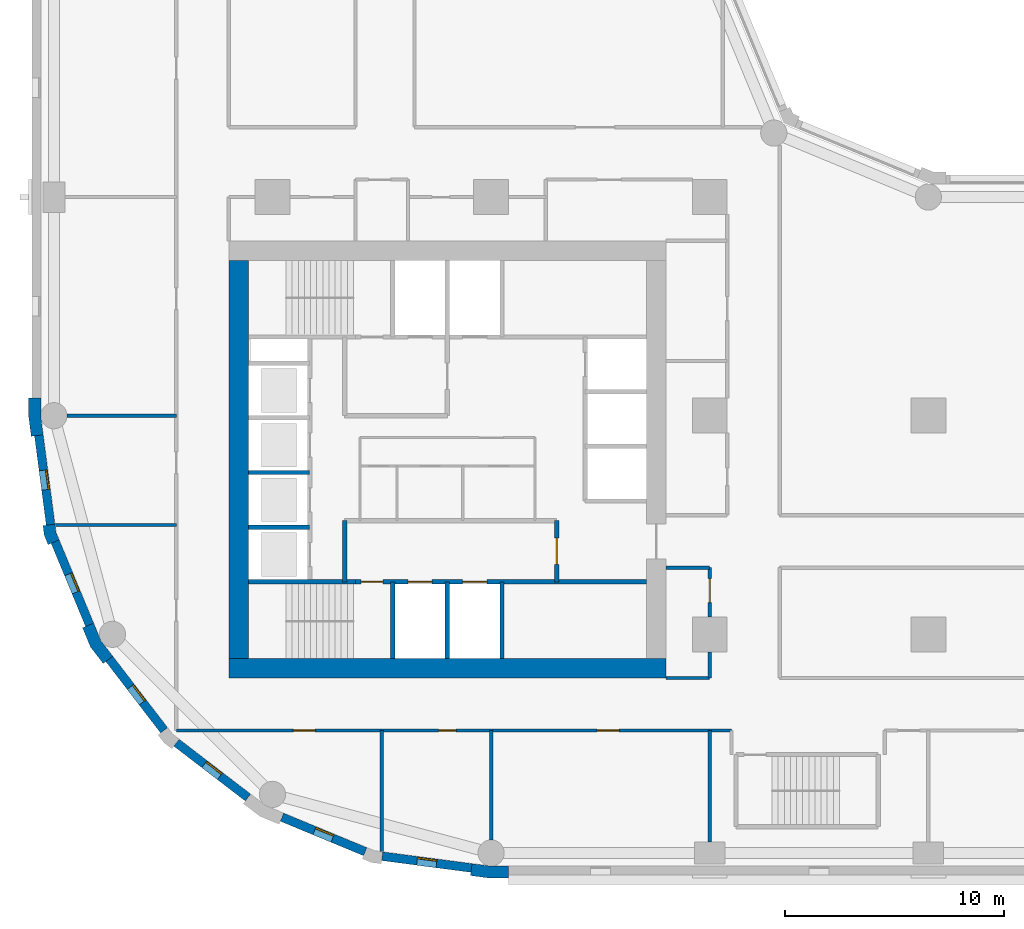
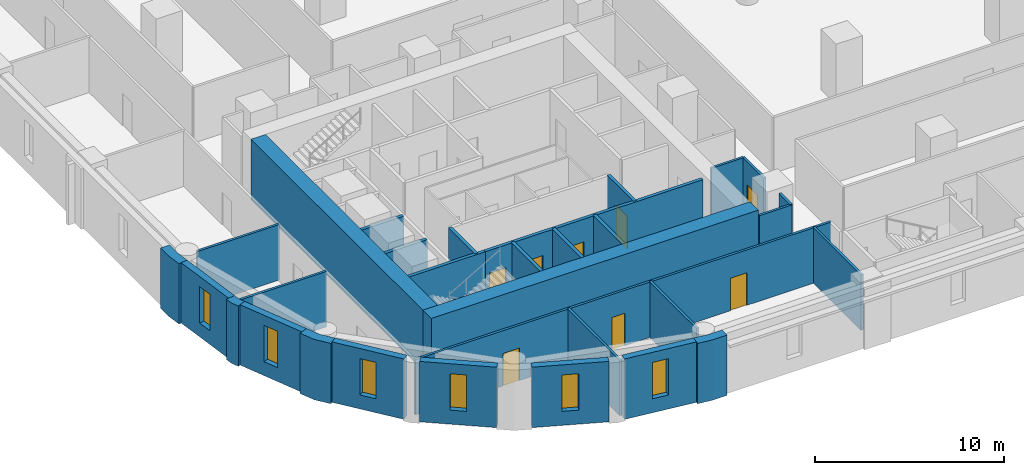
# One storey, part 2 of 10: 31 walls, 8 doors, 6 windows, 14 openings.
"""IFC4 building model written with IfcOpenShell, lengths in metres."""

from ifc_helpers import new_model, si_unit, direction, frame, frame_2d, origin, place, context, subcontext, project, spatial, polyline, rectangle, outline, extrude, material, layer, layer_set, type_object, element, fill, save


model = new_model("IFC4")

# Units and contexts
model_context = context("Model", 3, precision=1e-05, world=origin(), true_north=direction((0.0, 1.0)))
body_context = subcontext(model_context, "Body", "Model", "MODEL_VIEW")
ifc_project = project(units=[si_unit("LENGTHUNIT", "METRE"), si_unit("AREAUNIT", "SQUARE_METRE"), si_unit("VOLUMEUNIT", "CUBIC_METRE"), si_unit("PLANEANGLEUNIT", "RADIAN"), si_unit("MASSUNIT", "GRAM", prefix="KILO")], contexts=[model_context])

# Site, building, storey
site_placement = place(None, origin())
site = spatial("IfcSite", under=ifc_project, at=site_placement, CompositionType="ELEMENT")
building_placement = place(site_placement, origin())
building = spatial("IfcBuilding", under=site, at=building_placement, Name="Qaws Garden Tower", CompositionType="ELEMENT")
storey_placement = place(building_placement, frame((0.0, 0.0, 51.0)))
storey = spatial("IfcBuildingStorey", under=building, at=storey_placement, Name="L12", CompositionType="ELEMENT", Elevation=51.0)

# Wall, opening, window
ifc_material_1 = material(Name="Clay facing brick masonry", Category="masonry")
ifc_layer_1 = layer(ifc_material_1, 0.39990234375)
ifc_layer_set_1 = layer_set([ifc_layer_1], Name="Clay facing brick masonry")
wall_type_1 = type_object("IfcWallType", Name="Brick infill wall 400", PredefinedType="SOLIDWALL", material=ifc_layer_set_1)
wall_1_placement = place(storey_placement, frame((-0.688720703125, 19.102294921875, 0.0), z_axis=(0.0, 0.0, 1.0), x_axis=(0.130514280502, -0.991446429508, 0.0)))
wall_1 = element("IfcWall", 1, at=wall_1_placement, inside=storey, type_object=wall_type_1, Name="E-L12-infill-27", PredefinedType="SOLIDWALL", context=body_context, shape_type="SweptSolid", body=[
    extrude(rectangle(XDim=4.120849609375, YDim=0.39990234375, at=frame_2d((2.060546875, 0.0))), origin(), (0.0, 0.0, 1.0), 3.89990234375),
])
opening_1_placement = place(wall_1_placement, frame((1.610595703125, 0.0, 0.89990234375)))
opening_1 = element("IfcOpeningElement", 2, at=opening_1_placement, cuts=wall_1, Name="Opening W09", PredefinedType="OPENING", context=body_context, shape_type="SweptSolid", body=[
    extrude(rectangle(XDim=0.89990234375, YDim=2.35009765625, at=frame_2d((0.449951171875, 1.175048828125))), frame((0.0, 0.2099609375, 0.0), z_axis=(0.0, -1.0, 0.0), x_axis=(1.0, 0.0, 0.0)), (0.0, 0.0, 1.0), 0.419921875),
])
ifc_material_2 = material(Name="Aluminium framed window, clear glazing", Category="aluminium")
window_type = type_object("IfcWindowType", Name="Slit window 900 x 2350", PartitioningType="SINGLE_PANEL", PredefinedType="WINDOW", material=ifc_material_2)
window_1_placement = place(opening_1_placement, origin())
window_1 = element("IfcWindow", 3, at=window_1_placement, inside=storey, type_object=window_type, Name="E-L12-window-27-0", OverallHeight=2.35009765625, OverallWidth=0.89990234375, PartitioningType="SINGLE_PANEL", PredefinedType="WINDOW", context=body_context, shape_type="SweptSolid", body=[
    extrude(rectangle(XDim=0.89990234375, YDim=2.35009765625, at=frame_2d((0.449951171875, 1.175048828125))), frame((0.0, 0.159912109375, 0.0), z_axis=(0.0, -1.0, 0.0), x_axis=(1.0, 0.0, 0.0)), (0.0, 0.0, 1.0), 0.06005859375),
])
fill(opening_1, window_1)

wall_2_placement = place(storey_placement, frame((0.05712890625, 14.240234375, 0.0), z_axis=(0.0, 0.0, 1.0), x_axis=(0.382721546029, -0.923863744394, 0.0)))
wall_2 = element("IfcWall", 4, at=wall_2_placement, inside=storey, type_object=wall_type_1, Name="E-L12-infill-28", PredefinedType="SOLIDWALL", context=body_context, shape_type="SweptSolid", body=[
    extrude(rectangle(XDim=4.120849609375, YDim=0.39990234375, at=frame_2d((2.060546875, 0.0))), origin(), (0.0, 0.0, 1.0), 3.89990234375),
])
opening_2_placement = place(wall_2_placement, frame((1.610595703125, 0.0, 0.89990234375)))
opening_2 = element("IfcOpeningElement", 5, at=opening_2_placement, cuts=wall_2, Name="Opening W09", PredefinedType="OPENING", context=body_context, shape_type="SweptSolid", body=[
    extrude(rectangle(XDim=0.89990234375, YDim=2.35009765625, at=frame_2d((0.449951171875, 1.175048828125))), frame((0.0, 0.2099609375, 0.0), z_axis=(0.0, -1.0, 0.0), x_axis=(1.0, 0.0, 0.0)), (0.0, 0.0, 1.0), 0.419921875),
])
window_2_placement = place(opening_2_placement, origin())
window_2 = element("IfcWindow", 6, at=window_2_placement, inside=storey, type_object=window_type, Name="E-L12-window-28-0", OverallHeight=2.35009765625, OverallWidth=0.89990234375, PartitioningType="SINGLE_PANEL", PredefinedType="WINDOW", context=body_context, shape_type="SweptSolid", body=[
    extrude(rectangle(XDim=0.89990234375, YDim=2.35009765625, at=frame_2d((0.449951171875, 1.175048828125))), frame((0.0, 0.159912109375, 0.0), z_axis=(0.0, -1.0, 0.0), x_axis=(1.0, 0.0, 0.0)), (0.0, 0.0, 1.0), 0.06005859375),
])
fill(opening_2, window_2)

wall_3_placement = place(storey_placement, frame((2.53173828125, 8.87841796875, 0.0), z_axis=(0.0, 0.0, 1.0), x_axis=(0.608759824817, -0.793354571229, 0.0)))
wall_3 = element("IfcWall", 7, at=wall_3_placement, inside=storey, type_object=wall_type_1, Name="E-L12-infill-29", PredefinedType="SOLIDWALL", context=body_context, shape_type="SweptSolid", body=[
    extrude(rectangle(XDim=4.12109375, YDim=0.39990234375, at=frame_2d((2.060546875, 0.0))), origin(), (0.0, 0.0, 1.0), 3.89990234375),
])
opening_3_placement = place(wall_3_placement, frame((1.610595703125, 0.0, 0.89990234375)))
opening_3 = element("IfcOpeningElement", 8, at=opening_3_placement, cuts=wall_3, Name="Opening W09", PredefinedType="OPENING", context=body_context, shape_type="SweptSolid", body=[
    extrude(rectangle(XDim=0.89990234375, YDim=2.35009765625, at=frame_2d((0.449951171875, 1.175048828125))), frame((0.0, 0.2099609375, 0.0), z_axis=(0.0, -1.0, 0.0), x_axis=(1.0, 0.0, 0.0)), (0.0, 0.0, 1.0), 0.419921875),
])
window_3_placement = place(opening_3_placement, origin())
window_3 = element("IfcWindow", 9, at=window_3_placement, inside=storey, type_object=window_type, Name="E-L12-window-29-0", OverallHeight=2.35009765625, OverallWidth=0.89990234375, PartitioningType="SINGLE_PANEL", PredefinedType="WINDOW", context=body_context, shape_type="SweptSolid", body=[
    extrude(rectangle(XDim=0.89990234375, YDim=2.35009765625, at=frame_2d((0.449951171875, 1.175048828125))), frame((0.0, 0.159912109375, 0.0), z_axis=(0.0, -1.0, 0.0), x_axis=(1.0, 0.0, 0.0)), (0.0, 0.0, 1.0), 0.06005859375),
])
fill(opening_3, window_3)

wall_4_placement = place(storey_placement, frame((5.60888671875, 5.04052734375, 0.0), z_axis=(0.0, 0.0, 1.0), x_axis=(0.793354571229, -0.608759824817, 0.0)))
wall_4 = element("IfcWall", 10, at=wall_4_placement, inside=storey, type_object=wall_type_1, Name="E-L12-infill-30", PredefinedType="SOLIDWALL", context=body_context, shape_type="SweptSolid", body=[
    extrude(rectangle(XDim=4.12109375, YDim=0.39990234375, at=frame_2d((2.060546875, 0.0))), origin(), (0.0, 0.0, 1.0), 3.89990234375),
])
opening_4_placement = place(wall_4_placement, frame((1.610595703125, 0.0, 0.89990234375)))
opening_4 = element("IfcOpeningElement", 11, at=opening_4_placement, cuts=wall_4, Name="Opening W09", PredefinedType="OPENING", context=body_context, shape_type="SweptSolid", body=[
    extrude(rectangle(XDim=0.89990234375, YDim=2.35009765625, at=frame_2d((0.449951171875, 1.175048828125))), frame((0.0, 0.2099609375, 0.0), z_axis=(0.0, -1.0, 0.0), x_axis=(1.0, 0.0, 0.0)), (0.0, 0.0, 1.0), 0.419921875),
])
window_4_placement = place(opening_4_placement, origin())
window_4 = element("IfcWindow", 12, at=window_4_placement, inside=storey, type_object=window_type, Name="E-L12-window-30-0", OverallHeight=2.35009765625, OverallWidth=0.89990234375, PartitioningType="SINGLE_PANEL", PredefinedType="WINDOW", context=body_context, shape_type="SweptSolid", body=[
    extrude(rectangle(XDim=0.89990234375, YDim=2.35009765625, at=frame_2d((0.449951171875, 1.175048828125))), frame((0.0, 0.159912109375, 0.0), z_axis=(0.0, -1.0, 0.0), x_axis=(1.0, 0.0, 0.0)), (0.0, 0.0, 1.0), 0.06005859375),
])
fill(opening_4, window_4)

wall_5_placement = place(storey_placement, frame((10.43310546875, 1.63427734375, 0.0), z_axis=(0.0, 0.0, 1.0), x_axis=(0.923863744394, -0.382721546029, 0.0)))
wall_5 = element("IfcWall", 13, at=wall_5_placement, inside=storey, type_object=wall_type_1, Name="E-L12-infill-31", PredefinedType="SOLIDWALL", context=body_context, shape_type="SweptSolid", body=[
    extrude(rectangle(XDim=4.120849609375, YDim=0.39990234375, at=frame_2d((2.060546875, 0.0))), origin(), (0.0, 0.0, 1.0), 3.89990234375),
])
opening_5_placement = place(wall_5_placement, frame((1.610595703125, 0.0, 0.89990234375)))
opening_5 = element("IfcOpeningElement", 14, at=opening_5_placement, cuts=wall_5, Name="Opening W09", PredefinedType="OPENING", context=body_context, shape_type="SweptSolid", body=[
    extrude(rectangle(XDim=0.89990234375, YDim=2.35009765625, at=frame_2d((0.449951171875, 1.175048828125))), frame((0.0, 0.2099609375, 0.0), z_axis=(0.0, -1.0, 0.0), x_axis=(1.0, 0.0, 0.0)), (0.0, 0.0, 1.0), 0.419921875),
])
window_5_placement = place(opening_5_placement, origin())
window_5 = element("IfcWindow", 15, at=window_5_placement, inside=storey, type_object=window_type, Name="E-L12-window-31-0", OverallHeight=2.35009765625, OverallWidth=0.89990234375, PartitioningType="SINGLE_PANEL", PredefinedType="WINDOW", context=body_context, shape_type="SweptSolid", body=[
    extrude(rectangle(XDim=0.89990234375, YDim=2.35009765625, at=frame_2d((0.449951171875, 1.175048828125))), frame((0.0, 0.159912109375, 0.0), z_axis=(0.0, -1.0, 0.0), x_axis=(1.0, 0.0, 0.0)), (0.0, 0.0, 1.0), 0.06005859375),
])
fill(opening_5, window_5)

wall_6_placement = place(storey_placement, frame((15.0166015625, -0.15087890625, 0.0), z_axis=(0.0, 0.0, 1.0), x_axis=(0.991446429508, -0.130514280502, 0.0)))
wall_6 = element("IfcWall", 16, at=wall_6_placement, inside=storey, type_object=wall_type_1, Name="E-L12-infill-32", PredefinedType="SOLIDWALL", context=body_context, shape_type="SweptSolid", body=[
    extrude(rectangle(XDim=4.120849609375, YDim=0.39990234375, at=frame_2d((2.060546875, 0.0))), origin(), (0.0, 0.0, 1.0), 3.89990234375),
])
opening_6_placement = place(wall_6_placement, frame((1.610595703125, 0.0, 0.89990234375)))
opening_6 = element("IfcOpeningElement", 17, at=opening_6_placement, cuts=wall_6, Name="Opening W09", PredefinedType="OPENING", context=body_context, shape_type="SweptSolid", body=[
    extrude(rectangle(XDim=0.89990234375, YDim=2.35009765625, at=frame_2d((0.449951171875, 1.175048828125))), frame((0.0, 0.2099609375, 0.0), z_axis=(0.0, -1.0, 0.0), x_axis=(1.0, 0.0, 0.0)), (0.0, 0.0, 1.0), 0.419921875),
])
window_6_placement = place(opening_6_placement, origin())
window_6 = element("IfcWindow", 18, at=window_6_placement, inside=storey, type_object=window_type, Name="E-L12-window-32-0", OverallHeight=2.35009765625, OverallWidth=0.89990234375, PartitioningType="SINGLE_PANEL", PredefinedType="WINDOW", context=body_context, shape_type="SweptSolid", body=[
    extrude(rectangle(XDim=0.89990234375, YDim=2.35009765625, at=frame_2d((0.449951171875, 1.175048828125))), frame((0.0, 0.159912109375, 0.0), z_axis=(0.0, -1.0, 0.0), x_axis=(1.0, 0.0, 0.0)), (0.0, 0.0, 1.0), 0.06005859375),
])
fill(opening_6, window_6)

# Walls
ifc_material_3 = material(Name="Clay facing brick masonry", Category="masonry")
ifc_layer_2 = layer(ifc_material_3, 0.550048828125)
ifc_layer_set_2 = layer_set([ifc_layer_2], Name="Clay facing brick masonry")
wall_type_2 = type_object("IfcWallType", Name="Brick kink pier 550 x 600", PredefinedType="SOLIDWALL", material=ifc_layer_set_2)
placement = place(storey_placement, origin())
element("IfcWall", 19, at=placement, inside=storey, type_object=wall_type_2, Name="E-L12-pier-28", PredefinedType="SOLIDWALL", context=body_context, shape_type="SweptSolid", body=[
    extrude(outline(polyline([(-0.34912109375, 14.990478515625), (-0.497802734375, 14.970947265625), (-0.43896484375, 14.5234375), (-0.26611328125, 14.1064453125), (-0.127685546875, 14.163818359375), (0.241943359375, 14.31689453125), (0.096923828125, 14.6669921875), (0.04736328125, 15.042724609375), (-0.34912109375, 14.990478515625)])), origin(), (0.0, 0.0, 1.0), 3.89990234375),
])
ifc_material_4 = material(Name="Clay facing brick masonry", Category="masonry")
ifc_layer_3 = layer(ifc_material_4, 0.550048828125)
ifc_layer_set_3 = layer_set([ifc_layer_3], Name="Clay facing brick masonry")
wall_type_3 = type_object("IfcWallType", Name="Brick pier 550 x 1600", PredefinedType="SOLIDWALL", material=ifc_layer_set_3)
element("IfcWall", 20, at=placement, inside=storey, type_object=wall_type_3, Name="E-L12-pier-00", PredefinedType="SOLIDWALL", context=body_context, shape_type="SweptSolid", body=[
    extrude(outline(polyline([(19.076416015625, -0.886962890625), (19.056640625, -1.03564453125), (19.924560546875, -1.14990234375), (20.800048828125, -1.14990234375), (20.800048828125, -1.0), (20.800048828125, -0.60009765625), (19.960693359375, -0.60009765625), (19.12841796875, -0.490478515625), (19.076416015625, -0.886962890625)])), origin(), (0.0, 0.0, 1.0), 3.89990234375),
])
element("IfcWall", 21, at=placement, inside=storey, type_object=wall_type_3, Name="E-L12-pier-27", PredefinedType="SOLIDWALL", context=body_context, shape_type="SweptSolid", body=[
    extrude(outline(polyline([(-1.0, 20.800048828125), (-1.14990234375, 20.800048828125), (-1.14990234375, 19.924560546875), (-1.03564453125, 19.056640625), (-0.886962890625, 19.076416015625), (-0.490478515625, 19.12841796875), (-0.60009765625, 19.960693359375), (-0.60009765625, 20.800048828125), (-1.0, 20.800048828125)])), origin(), (0.0, 0.0, 1.0), 3.89990234375),
])
element("IfcWall", 22, at=placement, inside=storey, type_object=wall_type_3, Name="E-L12-pier-29", PredefinedType="SOLIDWALL", context=body_context, shape_type="SweptSolid", body=[
    extrude(outline(polyline([(1.449462890625, 10.3564453125), (1.310791015625, 10.299072265625), (1.675048828125, 9.419921875), (2.254150390625, 8.665283203125), (2.373046875, 8.756591796875), (2.6904296875, 9.0), (2.1552734375, 9.697509765625), (1.819091796875, 10.509521484375), (1.449462890625, 10.3564453125)])), origin(), (0.0, 0.0, 1.0), 3.89990234375),
])
ifc_material_5 = material(Name="Concrete C80", Category="concrete")
ifc_layer_4 = layer(ifc_material_5, 0.199951171875)
ifc_layer_set_4 = layer_set([ifc_layer_4], Name="Concrete C80")
wall_type_4 = type_object("IfcWallType", Name="Core shaft wall 200 C80", PredefinedType="SHEAR", material=ifc_layer_set_4)
wall_11_placement = place(storey_placement, frame((8.89990234375, 12.39990234375, 0.0), z_axis=(0.0, 0.0, 1.0), x_axis=(1.0, 0.0, 0.0)))
element("IfcWall", 23, at=wall_11_placement, inside=storey, type_object=wall_type_4, Name="Shaft wall", PredefinedType="SHEAR", context=body_context, shape_type="SweptSolid", body=[
    extrude(rectangle(XDim=4.900146484375, YDim=0.199951171875, at=frame_2d((2.4501953125, 0.0))), origin(), (0.0, 0.0, 1.0), 3.580078125),
])

# Wall, openings, doors
wall_12_placement = place(storey_placement, frame((13.800048828125, 12.39990234375, 0.0), z_axis=(0.0, 0.0, 1.0), x_axis=(1.0, 0.0, 0.0)))
wall_12 = element("IfcWall", 24, at=wall_12_placement, inside=storey, type_object=wall_type_4, Name="Shaft wall", PredefinedType="SHEAR", context=body_context, shape_type="SweptSolid", body=[
    extrude(rectangle(XDim=13.300048828125, YDim=0.199951171875, at=frame_2d((6.64990234375, 0.0))), origin(), (0.0, 0.0, 1.0), 3.580078125),
])
opening_7_placement = place(wall_12_placement, frame((2.39990234375, 0.0, 0.0)))
opening_7 = element("IfcOpeningElement", 25, at=opening_7_placement, cuts=wall_12, Name="Opening LD06", PredefinedType="OPENING", context=body_context, shape_type="SweptSolid", body=[
    extrude(rectangle(XDim=1.10009765625, YDim=2.10009765625, at=frame_2d((0.550048828125, 1.050048828125))), frame((0.0, 0.10986328125, 0.0), z_axis=(0.0, -1.0, 0.0), x_axis=(1.0, 0.0, 0.0)), (0.0, 0.0, 1.0), 0.219970703125),
])
opening_8_placement = place(wall_12_placement, frame((4.89990234375, 0.0, 0.0)))
opening_8 = element("IfcOpeningElement", 26, at=opening_8_placement, cuts=wall_12, Name="Opening LD07", PredefinedType="OPENING", context=body_context, shape_type="SweptSolid", body=[
    extrude(rectangle(XDim=1.10009765625, YDim=2.10009765625, at=frame_2d((0.550048828125, 1.050048828125))), frame((0.0, 0.10986328125, 0.0), z_axis=(0.0, -1.0, 0.0), x_axis=(1.0, 0.0, 0.0)), (0.0, 0.0, 1.0), 0.219970703125),
])
opening_9_placement = place(wall_12_placement, frame((0.25, 0.0, 0.0)))
opening_9 = element("IfcOpeningElement", 27, at=opening_9_placement, cuts=wall_12, Name="Opening SD10", PredefinedType="OPENING", context=body_context, shape_type="SweptSolid", body=[
    extrude(rectangle(XDim=1.0, YDim=2.10009765625, at=frame_2d((0.5, 1.050048828125))), frame((0.0, 0.10986328125, 0.0), z_axis=(0.0, -1.0, 0.0), x_axis=(1.0, 0.0, 0.0)), (0.0, 0.0, 1.0), 0.219970703125),
])
ifc_material_6 = material(Name="Steel S235", Category="steel")
door_type_1 = type_object("IfcDoorType", Name="Landing door 1100x2100", OperationType="DOUBLE_DOOR_SLIDING", PredefinedType="DOOR", material=ifc_material_6)
door_1_placement = place(opening_7_placement, origin())
door_1 = element("IfcDoor", 28, at=door_1_placement, inside=storey, type_object=door_type_1, Name="Lift FF1 landing door", OperationType="DOUBLE_DOOR_SLIDING", OverallHeight=2.10009765625, OverallWidth=1.10009765625, PredefinedType="DOOR", context=body_context, shape_type="SweptSolid", body=[
    extrude(rectangle(XDim=1.10009765625, YDim=2.10009765625, at=frame_2d((0.550048828125, 1.050048828125))), frame((0.0, 0.02490234375, 0.0), z_axis=(0.0, -1.0, 0.0), x_axis=(1.0, 0.0, 0.0)), (0.0, 0.0, 1.0), 0.050048828125),
])
fill(opening_7, door_1)
door_2_placement = place(opening_8_placement, origin())
door_2 = element("IfcDoor", 29, at=door_2_placement, inside=storey, type_object=door_type_1, Name="Lift FF2 landing door", OperationType="DOUBLE_DOOR_SLIDING", OverallHeight=2.10009765625, OverallWidth=1.10009765625, PredefinedType="DOOR", context=body_context, shape_type="SweptSolid", body=[
    extrude(rectangle(XDim=1.10009765625, YDim=2.10009765625, at=frame_2d((0.550048828125, 1.050048828125))), frame((0.0, 0.02490234375, 0.0), z_axis=(0.0, -1.0, 0.0), x_axis=(1.0, 0.0, 0.0)), (0.0, 0.0, 1.0), 0.050048828125),
])
fill(opening_8, door_2)
ifc_material_7 = material(Name="Steel S235", Category="steel")
door_type_2 = type_object("IfcDoorType", Name="Stair door 1000x2100", OperationType="SINGLE_SWING_RIGHT", PredefinedType="DOOR", material=ifc_material_7)
door_3_placement = place(opening_9_placement, frame((1.0, 0.0, 0.0), z_axis=(0.0, 0.0, 1.0), x_axis=(-1.0, 0.0, 0.0)))
door_3 = element("IfcDoor", 30, at=door_3_placement, inside=storey, type_object=door_type_2, Name="Stair 1 door", OperationType="SINGLE_SWING_LEFT", OverallHeight=2.10009765625, OverallWidth=1.0, PredefinedType="DOOR", context=body_context, shape_type="SweptSolid", body=[
    extrude(rectangle(XDim=1.0, YDim=2.10009765625, at=frame_2d((0.5, 1.050048828125))), frame((0.0, 0.02490234375, 0.0), z_axis=(0.0, -1.0, 0.0), x_axis=(1.0, 0.0, 0.0)), (0.0, 0.0, 1.0), 0.050048828125),
])
fill(opening_9, door_3)

# Walls
for number, where, z_axis, x_axis, name in (
    (31, (8.89990234375, 14.89990234375, 0.0), (0.0, 0.0, 1.0), (1.0, 0.0, 0.0), "Shaft wall"),
    (32, (8.89990234375, 17.39990234375, 0.0), (0.0, 0.0, 1.0), (1.0, 0.0, 0.0), "Shaft wall"),
    (33, (13.300048828125, 12.39990234375, 0.0), (0.0, 0.0, 1.0), (0.0, 1.0, 0.0), "Shaft wall"),
):
    element("IfcWall", number, at=place(storey_placement, frame(where, z_axis=z_axis, x_axis=x_axis)), inside=storey, type_object=wall_type_4, Name=name, PredefinedType="SHEAR", context=body_context, shape_type="SweptSolid", body=[
        extrude(rectangle(XDim=2.800048828125, YDim=0.199951171875, at=frame_2d((1.39990234375, 0.0))), origin(), (0.0, 0.0, 1.0), 3.580078125),
    ])
for number, where, z_axis, x_axis, name in (
    (34, (15.5, 8.89990234375, 0.0), (0.0, 0.0, 1.0), (0.0, 1.0, 0.0), "Shaft wall"),
    (35, (18.0, 8.89990234375, 0.0), (0.0, 0.0, 1.0), (0.0, 1.0, 0.0), "Shaft wall"),
    (36, (20.5, 8.89990234375, 0.0), (0.0, 0.0, 1.0), (0.0, 1.0, 0.0), "Shaft wall"),
):
    element("IfcWall", number, at=place(storey_placement, frame(where, z_axis=z_axis, x_axis=x_axis)), inside=storey, type_object=wall_type_4, Name=name, PredefinedType="SHEAR", context=body_context, shape_type="SweptSolid", body=[
        extrude(rectangle(XDim=3.5, YDim=0.199951171875, at=frame_2d((1.75, 0.0))), origin(), (0.0, 0.0, 1.0), 3.580078125),
    ])

# Wall, opening, door
wall_13_placement = place(storey_placement, frame((23.0, 12.39990234375, 0.0), z_axis=(0.0, 0.0, 1.0), x_axis=(0.0, 1.0, 0.0)))
wall_13 = element("IfcWall", 37, at=wall_13_placement, inside=storey, type_object=wall_type_4, Name="Shaft wall", PredefinedType="SHEAR", context=body_context, shape_type="SweptSolid", body=[
    extrude(rectangle(XDim=2.800048828125, YDim=0.199951171875, at=frame_2d((1.39990234375, 0.0))), origin(), (0.0, 0.0, 1.0), 3.580078125),
])
opening_10_placement = place(wall_13_placement, frame((0.800048828125, 0.0, 0.0)))
opening_10 = element("IfcOpeningElement", 38, at=opening_10_placement, cuts=wall_13, Name="Opening FD15", PredefinedType="OPENING", context=body_context, shape_type="SweptSolid", body=[
    extrude(rectangle(XDim=1.199951171875, YDim=2.10009765625, at=frame_2d((0.60009765625, 1.050048828125))), frame((0.0, 0.10986328125, 0.0), z_axis=(0.0, -1.0, 0.0), x_axis=(1.0, 0.0, 0.0)), (0.0, 0.0, 1.0), 0.219970703125),
])
ifc_material_8 = material(Name="Steel S235", Category="steel")
door_type_3 = type_object("IfcDoorType", Name="Lobby door 1200x2100", OperationType="DOUBLE_DOOR_SINGLE_SWING", PredefinedType="DOOR", material=ifc_material_8)
door_4_placement = place(opening_10_placement, origin())
door_4 = element("IfcDoor", 39, at=door_4_placement, inside=storey, type_object=door_type_3, Name="Fire-fighting lobby door", OperationType="DOUBLE_DOOR_SINGLE_SWING", OverallHeight=2.10009765625, OverallWidth=1.199951171875, PredefinedType="DOOR", context=body_context, shape_type="SweptSolid", body=[
    extrude(rectangle(XDim=1.199951171875, YDim=2.10009765625, at=frame_2d((0.60009765625, 1.050048828125))), frame((0.0, 0.02490234375, 0.0), z_axis=(0.0, -1.0, 0.0), x_axis=(1.0, 0.0, 0.0)), (0.0, 0.0, 1.0), 0.050048828125),
])
fill(opening_10, door_4)

# Walls
ifc_material_9 = material(Name="Concrete C80", Category="concrete")
ifc_layer_5 = layer(ifc_material_9, 0.89990234375)
ifc_layer_set_5 = layer_set([ifc_layer_5], Name="Concrete C80")
wall_type_5 = type_object("IfcWallType", Name="Core wall 900 C80", PredefinedType="SHEAR", material=ifc_layer_set_5)
wall_14_placement = place(storey_placement, frame((8.0, 8.449951171875, 0.0), z_axis=(0.0, 0.0, 1.0), x_axis=(1.0, 0.0, 0.0)))
element("IfcWall", 40, at=wall_14_placement, inside=storey, type_object=wall_type_5, Name="Core wall L12 south", PredefinedType="SHEAR", context=body_context, shape_type="SweptSolid", body=[
    extrude(rectangle(XDim=20.0, YDim=0.89990234375, at=frame_2d((10.0, 0.0))), origin(), (0.0, 0.0, 1.0), 3.89990234375),
])
wall_15_placement = place(storey_placement, frame((8.449951171875, 27.10009765625, 0.0), z_axis=(0.0, 0.0, 1.0), x_axis=(0.0, -1.0, 0.0)))
element("IfcWall", 41, at=wall_15_placement, inside=storey, type_object=wall_type_5, Name="Core wall L12 west", PredefinedType="SHEAR", context=body_context, shape_type="SweptSolid", body=[
    extrude(rectangle(XDim=18.2001953125, YDim=0.89990234375, at=frame_2d((9.10009765625, 0.0))), origin(), (0.0, 0.0, 1.0), 3.89990234375),
])
ifc_material_10 = material(Name="Gypsum board partition")
ifc_layer_6 = layer(ifc_material_10, 0.14990234375)
ifc_layer_set_6 = layer_set([ifc_layer_6], Name="Gypsum board partition")
wall_type_6 = type_object("IfcWallType", Name="PARTITION 150 EI 60", PredefinedType="PARTITIONING", material=ifc_layer_set_6)
wall_16_placement = place(storey_placement, frame((15.0, 0.06298828125, 0.0), z_axis=(0.0, 0.0, 1.0), x_axis=(0.0, 1.0, 0.0)))
element("IfcWall", 42, at=wall_16_placement, inside=storey, type_object=wall_type_6, Name="O-L12-wall-007", PredefinedType="PARTITIONING", context=body_context, shape_type="SweptSolid", body=[
    extrude(rectangle(XDim=5.537109375, YDim=0.14990234375, at=frame_2d((2.7685546875, 0.0))), origin(), (0.0, 0.0, 1.0), 3.580078125),
])
wall_17_placement = place(storey_placement, frame((20.0, 0.60009765625, 0.0), z_axis=(0.0, 0.0, 1.0), x_axis=(0.0, 1.0, 0.0)))
element("IfcWall", 43, at=wall_17_placement, inside=storey, type_object=wall_type_6, Name="O-L12-wall-011", PredefinedType="PARTITIONING", context=body_context, shape_type="SweptSolid", body=[
    extrude(rectangle(XDim=5.0, YDim=0.14990234375, at=frame_2d((2.5, 0.0))), origin(), (0.0, 0.0, 1.0), 3.580078125),
])
wall_18_placement = place(storey_placement, frame((30.0, 0.5, 0.0), z_axis=(0.0, 0.0, 1.0), x_axis=(0.0, 1.0, 0.0)))
element("IfcWall", 44, at=wall_18_placement, inside=storey, type_object=wall_type_6, Name="O-L12-wall-014", PredefinedType="PARTITIONING", context=body_context, shape_type="SweptSolid", body=[
    extrude(rectangle(XDim=5.10009765625, YDim=0.14990234375, at=frame_2d((2.550048828125, 0.0))), origin(), (0.0, 0.0, 1.0), 3.580078125),
])
wall_19_placement = place(storey_placement, frame((30.0, 8.0, 0.0), z_axis=(0.0, 0.0, 1.0), x_axis=(0.0, 1.0, 0.0)))
element("IfcWall", 45, at=wall_19_placement, inside=storey, type_object=wall_type_6, Name="O-L12-wall-015", PredefinedType="PARTITIONING", context=body_context, shape_type="SweptSolid", body=[
    extrude(rectangle(XDim=1.199951171875, YDim=0.14990234375, at=frame_2d((0.60009765625, 0.0))), origin(), (0.0, 0.0, 1.0), 3.580078125),
])

# Wall, opening, door
wall_20_placement = place(storey_placement, frame((30.0, 10.800048828125, 0.0), z_axis=(0.0, 0.0, 1.0), x_axis=(0.0, 1.0, 0.0)))
wall_20 = element("IfcWall", 46, at=wall_20_placement, inside=storey, type_object=wall_type_6, Name="O-L12-wall-016", PredefinedType="PARTITIONING", context=body_context, shape_type="SweptSolid", body=[
    extrude(rectangle(XDim=2.25, YDim=0.14990234375, at=frame_2d((1.125, 0.0))), origin(), (0.0, 0.0, 1.0), 3.580078125),
])
opening_11_placement = place(wall_20_placement, frame((0.64990234375, 0.0, 0.0)))
opening_11 = element("IfcOpeningElement", 47, at=opening_11_placement, cuts=wall_20, Name="Opening A407", PredefinedType="OPENING", context=body_context, shape_type="SweptSolid", body=[
    extrude(rectangle(XDim=1.10009765625, YDim=2.10009765625, at=frame_2d((0.550048828125, 1.050048828125))), frame((0.0, 0.0849609375, 0.0), z_axis=(0.0, -1.0, 0.0), x_axis=(1.0, 0.0, 0.0)), (0.0, 0.0, 1.0), 0.169921875),
])
ifc_material_11 = material(Name="Timber door leaf", Category="wood")
door_type_4 = type_object("IfcDoorType", Name="SERVICE ROOM DOOR 1100 X 2100", OperationType="SINGLE_SWING_LEFT", PredefinedType="DOOR", material=ifc_material_11)
door_5_placement = place(opening_11_placement, origin())
door_5 = element("IfcDoor", 48, at=door_5_placement, inside=storey, type_object=door_type_4, Name="O-L12-door-007", OperationType="SINGLE_SWING_RIGHT", OverallHeight=2.10009765625, OverallWidth=1.10009765625, PredefinedType="DOOR", context=body_context, shape_type="SweptSolid", body=[
    extrude(rectangle(XDim=1.10009765625, YDim=2.10009765625, at=frame_2d((0.550048828125, 1.050048828125))), frame((0.0, 0.02490234375, 0.0), z_axis=(0.0, -1.0, 0.0), x_axis=(1.0, 0.0, 0.0)), (0.0, 0.0, 1.0), 0.050048828125),
])
fill(opening_11, door_5)

# Wall, openings, doors
wall_21_placement = place(storey_placement, frame((5.60009765625, 5.60009765625, 0.0), z_axis=(0.0, 0.0, 1.0), x_axis=(1.0, 0.0, 0.0)))
wall_21 = element("IfcWall", 49, at=wall_21_placement, inside=storey, type_object=wall_type_6, Name="O-L12-wall-029", PredefinedType="PARTITIONING", context=body_context, shape_type="SweptSolid", body=[
    extrude(rectangle(XDim=25.39990234375, YDim=0.14990234375, at=frame_2d((12.699951171875, 0.0))), origin(), (0.0, 0.0, 1.0), 3.580078125),
])
opening_12_placement = place(wall_21_placement, frame((5.35009765625, 0.0, 0.0)))
opening_12 = element("IfcOpeningElement", 50, at=opening_12_placement, cuts=wall_21, Name="Opening A421", PredefinedType="OPENING", context=body_context, shape_type="SweptSolid", body=[
    extrude(rectangle(XDim=1.0, YDim=2.10009765625, at=frame_2d((0.5, 1.050048828125))), frame((0.0, 0.0849609375, 0.0), z_axis=(0.0, -1.0, 0.0), x_axis=(1.0, 0.0, 0.0)), (0.0, 0.0, 1.0), 0.169921875),
])
opening_13_placement = place(wall_21_placement, frame((12.0, 0.0, 0.0)))
opening_13 = element("IfcOpeningElement", 51, at=opening_13_placement, cuts=wall_21, Name="Opening A422", PredefinedType="OPENING", context=body_context, shape_type="SweptSolid", body=[
    extrude(rectangle(XDim=0.800048828125, YDim=2.10009765625, at=frame_2d((0.39990234375, 1.050048828125))), frame((0.0, 0.0849609375, 0.0), z_axis=(0.0, -1.0, 0.0), x_axis=(1.0, 0.0, 0.0)), (0.0, 0.0, 1.0), 0.169921875),
])
opening_14_placement = place(wall_21_placement, frame((19.25, 0.0, 0.0)))
opening_14 = element("IfcOpeningElement", 52, at=opening_14_placement, cuts=wall_21, Name="Opening A423", PredefinedType="OPENING", context=body_context, shape_type="SweptSolid", body=[
    extrude(rectangle(XDim=1.0, YDim=2.10009765625, at=frame_2d((0.5, 1.050048828125))), frame((0.0, 0.0849609375, 0.0), z_axis=(0.0, -1.0, 0.0), x_axis=(1.0, 0.0, 0.0)), (0.0, 0.0, 1.0), 0.169921875),
])
ifc_material_12 = material(Name="Timber door leaf", Category="wood")
door_type_5 = type_object("IfcDoorType", Name="STORE DOOR 800 X 2100", OperationType="SINGLE_SWING_LEFT", PredefinedType="DOOR", material=ifc_material_12)
door_6_placement = place(opening_13_placement, frame((0.800048828125, 0.0, 0.0), z_axis=(0.0, 0.0, 1.0), x_axis=(-1.0, 0.0, 0.0)))
door_6 = element("IfcDoor", 53, at=door_6_placement, inside=storey, type_object=door_type_5, Name="O-L12-door-022", OperationType="SINGLE_SWING_LEFT", OverallHeight=2.10009765625, OverallWidth=0.800048828125, PredefinedType="DOOR", context=body_context, shape_type="SweptSolid", body=[
    extrude(rectangle(XDim=0.800048828125, YDim=2.10009765625, at=frame_2d((0.39990234375, 1.050048828125))), frame((0.0, 0.02490234375, 0.0), z_axis=(0.0, -1.0, 0.0), x_axis=(1.0, 0.0, 0.0)), (0.0, 0.0, 1.0), 0.050048828125),
])
fill(opening_13, door_6)
ifc_material_13 = material(Name="Timber door leaf", Category="wood")
door_type_6 = type_object("IfcDoorType", Name="TENANCY ENTRANCE DOOR 1000 X 2100", OperationType="SINGLE_SWING_LEFT", PredefinedType="DOOR", material=ifc_material_13)
door_7_placement = place(opening_12_placement, frame((1.0, 0.0, 0.0), z_axis=(0.0, 0.0, 1.0), x_axis=(-1.0, 0.0, 0.0)))
door_7 = element("IfcDoor", 54, at=door_7_placement, inside=storey, type_object=door_type_6, Name="O-L12-door-021", OperationType="SINGLE_SWING_LEFT", OverallHeight=2.10009765625, OverallWidth=1.0, PredefinedType="DOOR", context=body_context, shape_type="SweptSolid", body=[
    extrude(rectangle(XDim=1.0, YDim=2.10009765625, at=frame_2d((0.5, 1.050048828125))), frame((0.0, 0.02490234375, 0.0), z_axis=(0.0, -1.0, 0.0), x_axis=(1.0, 0.0, 0.0)), (0.0, 0.0, 1.0), 0.050048828125),
])
fill(opening_12, door_7)
door_8_placement = place(opening_14_placement, frame((1.0, 0.0, 0.0), z_axis=(0.0, 0.0, 1.0), x_axis=(-1.0, 0.0, 0.0)))
door_8 = element("IfcDoor", 55, at=door_8_placement, inside=storey, type_object=door_type_6, Name="O-L12-door-023", OperationType="SINGLE_SWING_LEFT", OverallHeight=2.10009765625, OverallWidth=1.0, PredefinedType="DOOR", context=body_context, shape_type="SweptSolid", body=[
    extrude(rectangle(XDim=1.0, YDim=2.10009765625, at=frame_2d((0.5, 1.050048828125))), frame((0.0, 0.02490234375, 0.0), z_axis=(0.0, -1.0, 0.0), x_axis=(1.0, 0.0, 0.0)), (0.0, 0.0, 1.0), 0.050048828125),
])
fill(opening_14, door_8)

# Walls
for number, where, z_axis, x_axis, name in (
    (56, (28.0, 8.0, 0.0), (0.0, 0.0, 1.0), (1.0, 0.0, 0.0), "O-L12-wall-031"),
    (57, (28.0, 13.050048828125, 0.0), (0.0, 0.0, 1.0), (1.0, 0.0, 0.0), "O-L12-wall-033"),
):
    element("IfcWall", number, at=place(storey_placement, frame(where, z_axis=z_axis, x_axis=x_axis)), inside=storey, type_object=wall_type_6, Name=name, PredefinedType="PARTITIONING", context=body_context, shape_type="SweptSolid", body=[
        extrude(rectangle(XDim=2.0, YDim=0.14990234375, at=frame_2d((1.0, 0.0))), origin(), (0.0, 0.0, 1.0), 3.580078125),
    ])
wall_22_placement = place(storey_placement, frame((0.06298828125, 15.0, 0.0), z_axis=(0.0, 0.0, 1.0), x_axis=(1.0, 0.0, 0.0)))
element("IfcWall", 58, at=wall_22_placement, inside=storey, type_object=wall_type_6, Name="O-L12-wall-035", PredefinedType="PARTITIONING", context=body_context, shape_type="SweptSolid", body=[
    extrude(rectangle(XDim=5.537109375, YDim=0.14990234375, at=frame_2d((2.7685546875, 0.0))), origin(), (0.0, 0.0, 1.0), 3.580078125),
])
wall_23_placement = place(storey_placement, frame((0.60009765625, 20.0, 0.0), z_axis=(0.0, 0.0, 1.0), x_axis=(1.0, 0.0, 0.0)))
element("IfcWall", 59, at=wall_23_placement, inside=storey, type_object=wall_type_6, Name="O-L12-wall-038", PredefinedType="PARTITIONING", context=body_context, shape_type="SweptSolid", body=[
    extrude(rectangle(XDim=5.0, YDim=0.14990234375, at=frame_2d((2.5, 0.0))), origin(), (0.0, 0.0, 1.0), 3.580078125),
])

save(model, "model.ifc")
